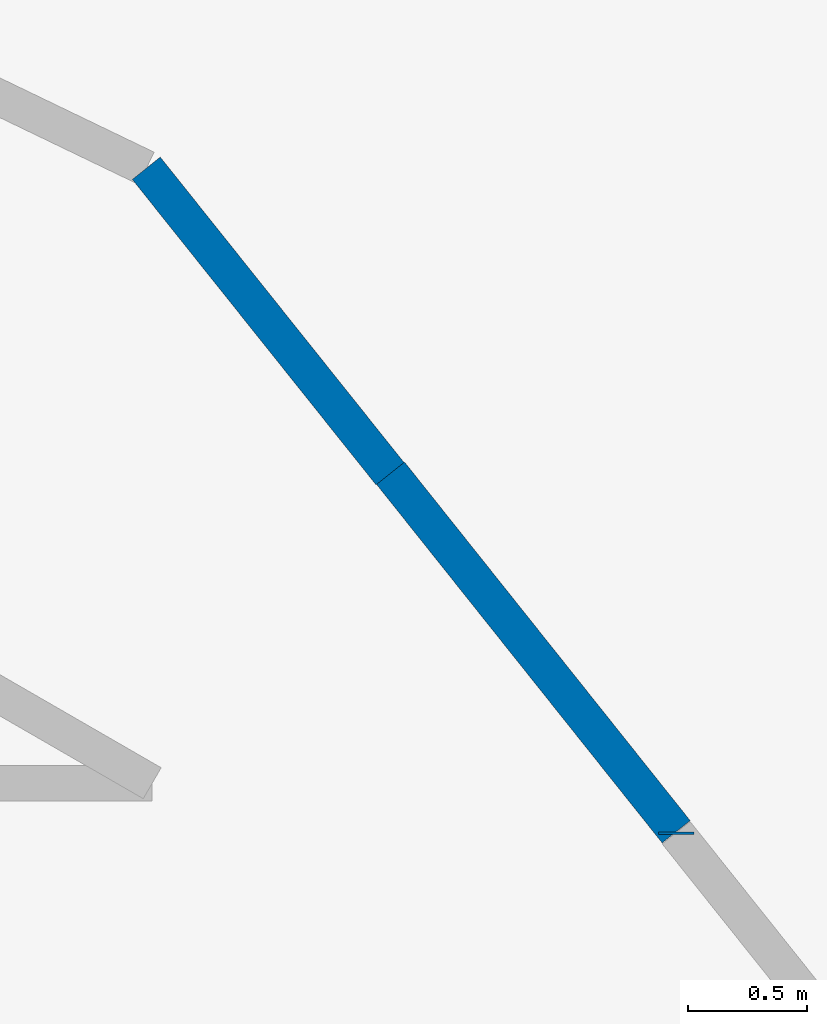
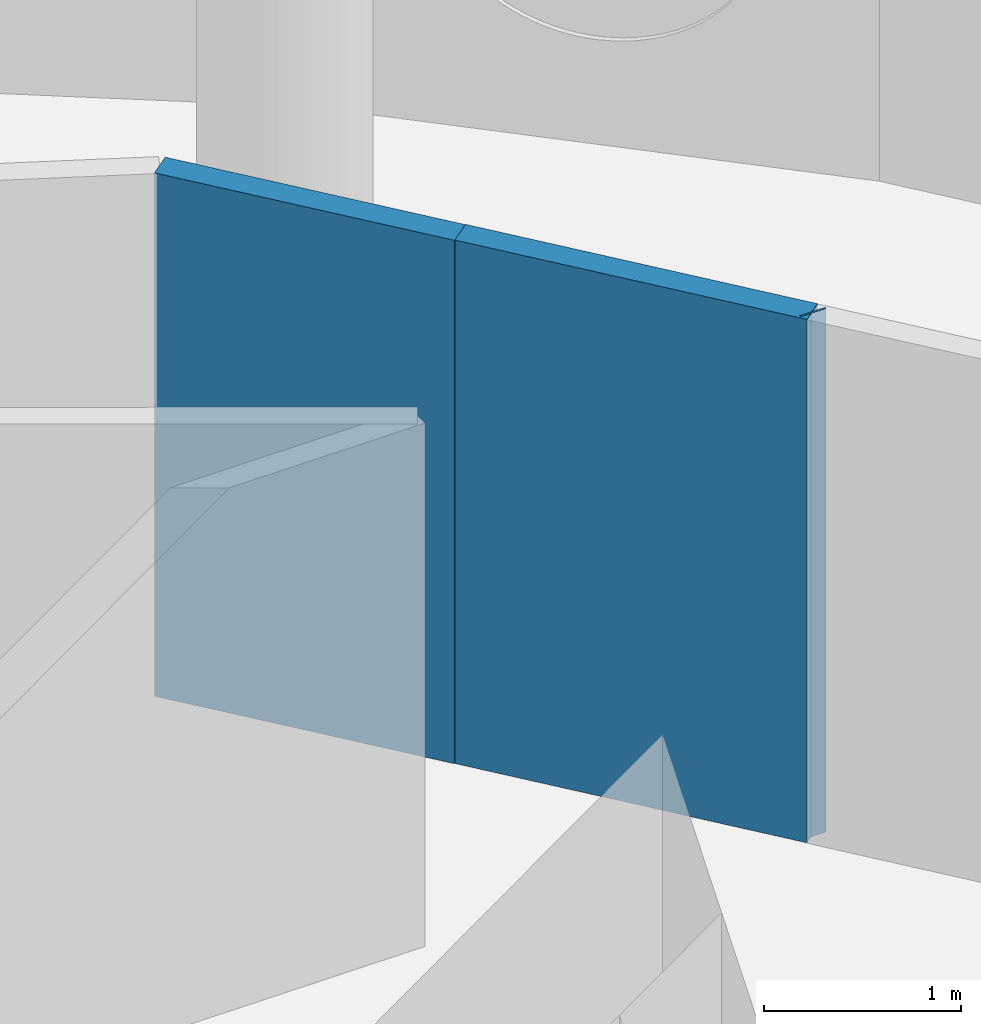
# One storey, part 9 of 13: 3 walls.
"""IFC4 building model written with IfcOpenShell, lengths in metres."""

from ifc_helpers import new_model, si_unit, direction, frame, frame_2d, origin, place, context, subcontext, project, spatial, rectangle, extrude, material, layer, layer_set, type_object, element, save


model = new_model("IFC4")

# Units and contexts
model_context = context("Model", 3, precision=1e-05, world=origin(), true_north=direction((0.0, 1.0)))
body_context = subcontext(model_context, "Body", "Model", "MODEL_VIEW")
ifc_project = project(units=[si_unit("LENGTHUNIT", "METRE"), si_unit("AREAUNIT", "SQUARE_METRE"), si_unit("VOLUMEUNIT", "CUBIC_METRE"), si_unit("PLANEANGLEUNIT", "RADIAN"), si_unit("MASSUNIT", "GRAM", prefix="KILO")], contexts=[model_context])

# Site, building, storey
site_placement = place(None, origin())
site = spatial("IfcSite", under=ifc_project, at=site_placement, CompositionType="ELEMENT")
building_placement = place(site_placement, origin())
building = spatial("IfcBuilding", under=site, at=building_placement, Name="Tracery Tower", CompositionType="ELEMENT")
storey_placement = place(building_placement, frame((0.0, 0.0, 301.800048828125)))
storey = spatial("IfcBuildingStorey", under=building, at=storey_placement, Name="L78", CompositionType="ELEMENT", Elevation=301.800048828125)

# Walls
ifc_material = material(Name="Plasterboard on steel studs", Category="steel")
ifc_layer = layer(ifc_material, 0.14990234375)
ifc_layer_set = layer_set([ifc_layer], Name="Partition 150 corridor wall")
wall_type = type_object("IfcWallType", Name="Partition 150 corridor wall", PredefinedType="PARTITIONING", material=ifc_layer_set)
wall_1_placement = place(storey_placement, frame((10.10107421875, 10.10107421875, 0.0), z_axis=(0.0, 0.0, 1.0), x_axis=(0.623130947784, -0.782117524362, 0.0)))
element("IfcWall", 1, at=wall_1_placement, inside=storey, type_object=wall_type, Name="Corridor wall RC7-004", PredefinedType="PARTITIONING", context=body_context, shape_type="SweptSolid", body=[
    extrude(rectangle(XDim=1.924072265625, YDim=0.14990234375, at=frame_2d((0.9619140625, 0.0))), origin(), (0.0, 0.0, 1.0), 3.25),
])
wall_2_placement = place(storey_placement, frame((11.300048828125, 8.5849609375, 0.0), z_axis=(0.0, 0.0, 1.0), x_axis=(0.0, 1.0, 0.0)))
element("IfcWall", 2, at=wall_2_placement, inside=storey, type_object=wall_type, Name="Corridor wall RC7-006", PredefinedType="PARTITIONING", context=body_context, shape_type="SweptSolid", body=[
    extrude(rectangle(XDim=0.01123046875, YDim=0.14990234375, at=frame_2d((0.005615234375, 0.0))), origin(), (0.0, 0.0, 1.0), 3.25),
])
wall_3_placement = place(storey_placement, frame((9.075927734375, 11.381103515625, 0.0), z_axis=(0.0, 0.0, 1.0), x_axis=(0.623805208652, -0.781579849829, 0.0)))
element("IfcWall", 3, at=wall_3_placement, inside=storey, type_object=wall_type, Name="Corridor wall RC7-027", PredefinedType="PARTITIONING", context=body_context, shape_type="SweptSolid", body=[
    extrude(rectangle(XDim=1.64013671875, YDim=0.14990234375, at=frame_2d((0.820068359375, 0.0))), origin(), (0.0, 0.0, 1.0), 3.25),
])

save(model, "model.ifc")
